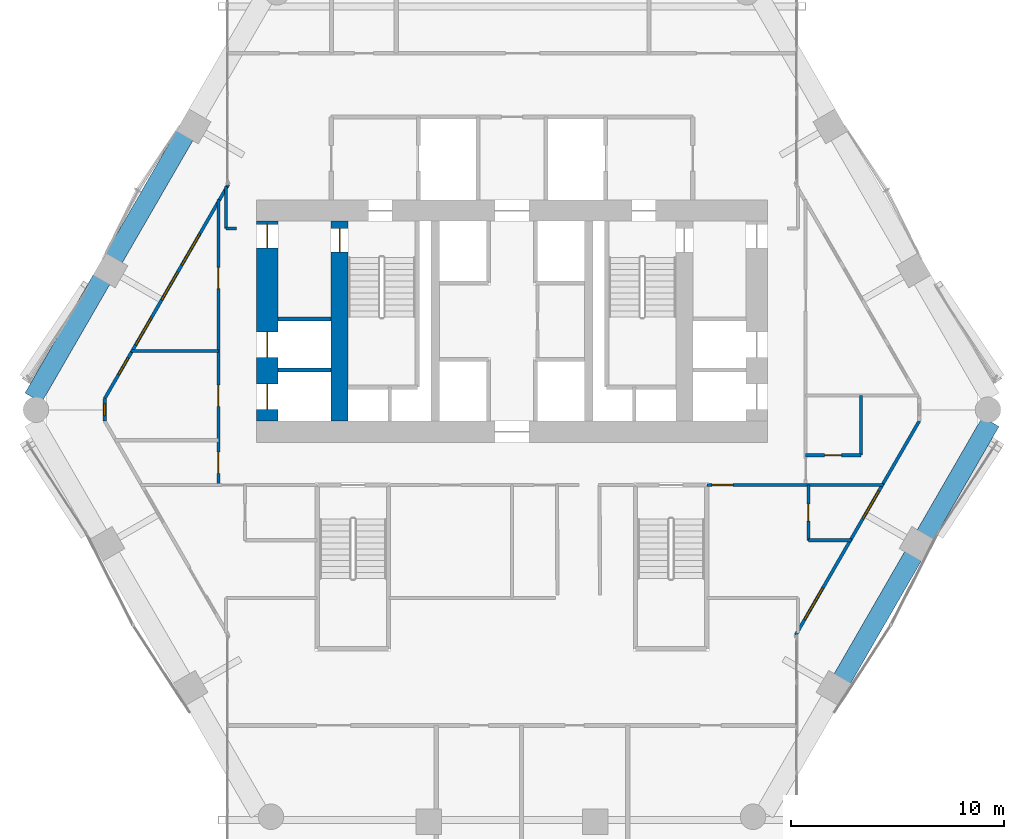
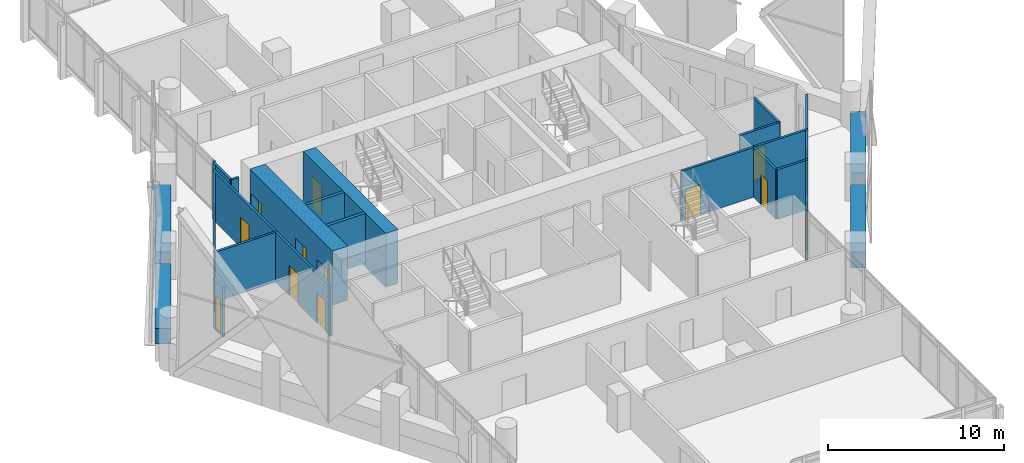
# One storey, part 30 of 38: 20 walls, 10 doors, 7 windows, 17 openings.
"""IFC4 building model written with IfcOpenShell, lengths in metres."""

from ifc_helpers import new_model, si_unit, direction, frame, frame_2d, origin, place, context, subcontext, project, spatial, rectangle, extrude, material, layer, layer_set, type_object, element, fill, save


model = new_model("IFC4")

# Units and contexts
model_context = context("Model", 3, precision=1e-05, world=origin(), true_north=direction((0.0, 1.0)))
body_context = subcontext(model_context, "Body", "Model", "MODEL_VIEW")
ifc_project = project(units=[si_unit("LENGTHUNIT", "METRE"), si_unit("AREAUNIT", "SQUARE_METRE"), si_unit("VOLUMEUNIT", "CUBIC_METRE"), si_unit("PLANEANGLEUNIT", "RADIAN"), si_unit("MASSUNIT", "GRAM", prefix="KILO")], contexts=[model_context])

# Site, building, storey
site_placement = place(None, origin())
site = spatial("IfcSite", under=ifc_project, at=site_placement, CompositionType="ELEMENT")
building_placement = place(site_placement, origin())
building = spatial("IfcBuilding", under=site, at=building_placement, Name="Ostrander Bayou Hotel Tower", CompositionType="ELEMENT")
storey_placement = place(building_placement, frame((0.0, 0.0, 96.75)))
storey = spatial("IfcBuildingStorey", under=building, at=storey_placement, Name="L24", CompositionType="ELEMENT", Elevation=96.75)

# Wall, openings, doors
ifc_material_1 = material(Name="Concrete f'c 70 MPa", Category="concrete")
ifc_layer_1 = layer(ifc_material_1, 1.0)
ifc_layer_set_1 = layer_set([ifc_layer_1], Name="CW4 core wall 1000 mm f'c 70 MPa")
wall_type_1 = type_object("IfcWallType", Name="CW4 core wall 1000 mm f'c 70 MPa", PredefinedType="SHEAR", material=ifc_layer_set_1)
wall_1_placement = place(storey_placement, frame((-11.5, -0.699951171875, -0.300048828125), z_axis=(0.0, 0.0, 1.0), x_axis=(0.0, 1.0, 0.0)))
wall_1 = element("IfcWall", 1, at=wall_1_placement, inside=storey, type_object=wall_type_1, Name="CW4 L24 RW", PredefinedType="SHEAR", context=body_context, shape_type="SweptSolid", body=[
    extrude(rectangle(XDim=9.39990234375, YDim=1.0, at=frame_2d((4.699951171875, 0.0))), origin(), (0.0, 0.0, 1.0), 3.75),
])
opening_1_placement = place(wall_1_placement, frame((8.14990234375, 0.0, 0.0)))
opening_1 = element("IfcOpeningElement", 2, at=opening_1_placement, cuts=wall_1, Name="Opening T23-015", PredefinedType="OPENING", context=body_context, shape_type="SweptSolid", body=[
    extrude(rectangle(XDim=1.10009765625, YDim=2.10009765625, at=frame_2d((0.550048828125, 1.050048828125))), frame((0.0, 0.5, 0.0), z_axis=(0.0, -1.0, 0.0), x_axis=(1.0, 0.0, 0.0)), (0.0, 0.0, 1.0), 1.0),
])
opening_2_placement = place(wall_1_placement, frame((0.550048828125, 0.0, 0.0)))
opening_2 = element("IfcOpeningElement", 3, at=opening_2_placement, cuts=wall_1, Name="Opening T23-016", PredefinedType="OPENING", context=body_context, shape_type="SweptSolid", body=[
    extrude(rectangle(XDim=1.199951171875, YDim=2.10009765625, at=frame_2d((0.60009765625, 1.050048828125))), frame((0.0, 0.5, 0.0), z_axis=(0.0, -1.0, 0.0), x_axis=(1.0, 0.0, 0.0)), (0.0, 0.0, 1.0), 1.0),
])
opening_3_placement = place(wall_1_placement, frame((3.0, 0.0, 0.0)))
opening_3 = element("IfcOpeningElement", 4, at=opening_3_placement, cuts=wall_1, Name="Opening T23-017", PredefinedType="OPENING", context=body_context, shape_type="SweptSolid", body=[
    extrude(rectangle(XDim=1.199951171875, YDim=2.10009765625, at=frame_2d((0.60009765625, 1.050048828125))), frame((0.0, 0.5, 0.0), z_axis=(0.0, -1.0, 0.0), x_axis=(1.0, 0.0, 0.0)), (0.0, 0.0, 1.0), 1.0),
])
ifc_material_2 = material(Name="Timber door leaf", Category="wood")
door_type_1 = type_object("IfcDoorType", Name="D5 stair door 1100 x 2100 mm, 90 minute", OperationType="SINGLE_SWING_LEFT", PredefinedType="DOOR", material=ifc_material_2)
door_1_placement = place(opening_1_placement, origin())
door_1 = element("IfcDoor", 5, at=door_1_placement, inside=storey, type_object=door_type_1, Name="dr:L24:015", OperationType="SINGLE_SWING_LEFT", OverallHeight=2.10009765625, OverallWidth=1.10009765625, PredefinedType="DOOR", context=body_context, shape_type="SweptSolid", body=[
    extrude(rectangle(XDim=1.10009765625, YDim=2.10009765625, at=frame_2d((0.550048828125, 1.050048828125))), frame((0.0, 0.02490234375, 0.0), z_axis=(0.0, -1.0, 0.0), x_axis=(1.0, 0.0, 0.0)), (0.0, 0.0, 1.0), 0.050048828125),
])
fill(opening_1, door_1)
ifc_material_3 = material(Name="Stainless steel sliding door", Category="steel")
door_type_2 = type_object("IfcDoorType", Name="LD1 lift landing door 1200 x 2100 mm", OperationType="SINGLE_SWING_LEFT", PredefinedType="DOOR", material=ifc_material_3)
door_2_placement = place(opening_2_placement, origin())
door_2 = element("IfcDoor", 6, at=door_2_placement, inside=storey, type_object=door_type_2, Name="dr:L24:016", OperationType="SLIDING_TO_LEFT", OverallHeight=2.10009765625, OverallWidth=1.199951171875, PredefinedType="DOOR", context=body_context, shape_type="SweptSolid", body=[
    extrude(rectangle(XDim=1.199951171875, YDim=2.10009765625, at=frame_2d((0.60009765625, 1.050048828125))), frame((0.0, 0.02490234375, 0.0), z_axis=(0.0, -1.0, 0.0), x_axis=(1.0, 0.0, 0.0)), (0.0, 0.0, 1.0), 0.050048828125),
])
fill(opening_2, door_2)
door_3_placement = place(opening_3_placement, origin())
door_3 = element("IfcDoor", 7, at=door_3_placement, inside=storey, type_object=door_type_2, Name="dr:L24:017", OperationType="SLIDING_TO_LEFT", OverallHeight=2.10009765625, OverallWidth=1.199951171875, PredefinedType="DOOR", context=body_context, shape_type="SweptSolid", body=[
    extrude(rectangle(XDim=1.199951171875, YDim=2.10009765625, at=frame_2d((0.60009765625, 1.050048828125))), frame((0.0, 0.02490234375, 0.0), z_axis=(0.0, -1.0, 0.0), x_axis=(1.0, 0.0, 0.0)), (0.0, 0.0, 1.0), 0.050048828125),
])
fill(opening_3, door_3)

# Wall, opening, door
ifc_material_4 = material(Name="Concrete f'c 70 MPa", Category="concrete")
ifc_layer_2 = layer(ifc_material_4, 0.800048828125)
ifc_layer_set_2 = layer_set([ifc_layer_2], Name="CW5 core spine wall 800 mm f'c 70 MPa")
wall_type_2 = type_object("IfcWallType", Name="CW5 core spine wall 800 mm f'c 70 MPa", PredefinedType="SHEAR", material=ifc_layer_set_2)
wall_2_placement = place(storey_placement, frame((-8.10009765625, -0.699951171875, -0.300048828125), z_axis=(0.0, 0.0, 1.0), x_axis=(0.0, 1.0, 0.0)))
wall_2 = element("IfcWall", 8, at=wall_2_placement, inside=storey, type_object=wall_type_2, Name="CW5 L24 W", PredefinedType="SHEAR", context=body_context, shape_type="SweptSolid", body=[
    extrude(rectangle(XDim=9.39990234375, YDim=0.800048828125, at=frame_2d((4.699951171875, 0.0))), origin(), (0.0, 0.0, 1.0), 3.75),
])
opening_4_placement = place(wall_2_placement, frame((7.949951171875, 0.0, 0.0)))
opening_4 = element("IfcOpeningElement", 9, at=opening_4_placement, cuts=wall_2, Name="Opening T23-004", PredefinedType="OPENING", context=body_context, shape_type="SweptSolid", body=[
    extrude(rectangle(XDim=1.10009765625, YDim=2.10009765625, at=frame_2d((0.550048828125, 1.050048828125))), frame((0.0, 0.39990234375, 0.0), z_axis=(0.0, -1.0, 0.0), x_axis=(1.0, 0.0, 0.0)), (0.0, 0.0, 1.0), 0.800048828125),
])
door_4_placement = place(opening_4_placement, origin())
door_4 = element("IfcDoor", 10, at=door_4_placement, inside=storey, type_object=door_type_1, Name="dr:L24:004", OperationType="SINGLE_SWING_RIGHT", OverallHeight=2.10009765625, OverallWidth=1.10009765625, PredefinedType="DOOR", context=body_context, shape_type="SweptSolid", body=[
    extrude(rectangle(XDim=1.10009765625, YDim=2.10009765625, at=frame_2d((0.550048828125, 1.050048828125))), frame((0.0, 0.02490234375, 0.0), z_axis=(0.0, -1.0, 0.0), x_axis=(1.0, 0.0, 0.0)), (0.0, 0.0, 1.0), 0.050048828125),
])
fill(opening_4, door_4)

# Wall, openings, windows
ifc_material_5 = material(Name="Aluminium framed insulated wall", Category="aluminium")
ifc_layer_3 = layer(ifc_material_5, 0.14990234375)
ifc_layer_set_3 = layer_set([ifc_layer_3], Name="GW1 glass-line wall 150 mm")
wall_type_3 = type_object("IfcWallType", Name="GW1 glass-line wall 150 mm", PredefinedType="SOLIDWALL", material=ifc_layer_set_3)
wall_3_placement = place(storey_placement, frame((-13.333984375, 10.427490234375, 0.0), z_axis=(0.0, 0.0, 1.0), x_axis=(-0.500002662854, -0.86602386638, 0.0)))
wall_3 = element("IfcWall", 11, at=wall_3_placement, inside=storey, type_object=wall_type_3, Name="GW1 L24 NW 1", PredefinedType="SOLIDWALL", context=body_context, shape_type="SweptSolid", body=[
    extrude(rectangle(XDim=11.61474609375, YDim=0.14990234375, at=frame_2d((5.807373046875, 0.0))), origin(), (0.0, 0.0, 1.0), 3.449951171875),
])
opening_5_placement = place(wall_3_placement, frame((2.66357421875, 0.0, 0.14990234375)))
opening_5 = element("IfcOpeningElement", 12, at=opening_5_placement, cuts=wall_3, Name="Opening W8", PredefinedType="OPENING", context=body_context, shape_type="SweptSolid", body=[
    extrude(rectangle(XDim=1.699951171875, YDim=2.199951171875, at=frame_2d((0.85009765625, 1.10009765625))), frame((0.0, 0.074951171875, 0.0), z_axis=(0.0, -1.0, 0.0), x_axis=(1.0, 0.0, 0.0)), (0.0, 0.0, 1.0), 0.14990234375),
])
opening_6_placement = place(wall_3_placement, frame((4.763671875, 0.0, 0.14990234375)))
opening_6 = element("IfcOpeningElement", 13, at=opening_6_placement, cuts=wall_3, Name="Opening W12", PredefinedType="OPENING", context=body_context, shape_type="SweptSolid", body=[
    extrude(rectangle(XDim=1.5, YDim=2.199951171875, at=frame_2d((0.75, 1.10009765625))), frame((0.0, 0.074951171875, 0.0), z_axis=(0.0, -1.0, 0.0), x_axis=(1.0, 0.0, 0.0)), (0.0, 0.0, 1.0), 0.14990234375),
])
opening_7_placement = place(wall_3_placement, frame((9.414306640625, 0.0, 0.14990234375)))
opening_7 = element("IfcOpeningElement", 14, at=opening_7_placement, cuts=wall_3, Name="Opening W16", PredefinedType="OPENING", context=body_context, shape_type="SweptSolid", body=[
    extrude(rectangle(XDim=0.89990234375, YDim=2.199951171875, at=frame_2d((0.449951171875, 1.10009765625))), frame((0.0, 0.074951171875, 0.0), z_axis=(0.0, -1.0, 0.0), x_axis=(1.0, 0.0, 0.0)), (0.0, 0.0, 1.0), 0.14990234375),
])
opening_8_placement = place(wall_3_placement, frame((7.21435546875, 0.0, 0.14990234375)))
opening_8 = element("IfcOpeningElement", 15, at=opening_8_placement, cuts=wall_3, Name="Opening W12", PredefinedType="OPENING", context=body_context, shape_type="SweptSolid", body=[
    extrude(rectangle(XDim=1.5, YDim=2.199951171875, at=frame_2d((0.75, 1.10009765625))), frame((0.0, 0.074951171875, 0.0), z_axis=(0.0, -1.0, 0.0), x_axis=(1.0, 0.0, 0.0)), (0.0, 0.0, 1.0), 0.14990234375),
])
ifc_material_6 = material(Name="Aluminium and clear glass", Category="aluminium")
window_type_1 = type_object("IfcWindowType", Name="W12 fixed window 1500 mm, bath bay, zone 2", PartitioningType="SINGLE_PANEL", PredefinedType="WINDOW", material=ifc_material_6)
window_1_placement = place(opening_6_placement, origin())
window_1 = element("IfcWindow", 16, at=window_1_placement, inside=storey, type_object=window_type_1, Name="W12 L24 NW 3", OverallHeight=2.199951171875, OverallWidth=1.5, PartitioningType="SINGLE_PANEL", PredefinedType="WINDOW", context=body_context, shape_type="SweptSolid", body=[
    extrude(rectangle(XDim=1.5, YDim=2.199951171875, at=frame_2d((0.75, 1.10009765625))), frame((0.0, 0.030029296875, 0.0), z_axis=(0.0, -1.0, 0.0), x_axis=(1.0, 0.0, 0.0)), (0.0, 0.0, 1.0), 0.06005859375),
])
fill(opening_6, window_1)
window_2_placement = place(opening_8_placement, origin())
window_2 = element("IfcWindow", 17, at=window_2_placement, inside=storey, type_object=window_type_1, Name="W12 L24 NW 4", OverallHeight=2.199951171875, OverallWidth=1.5, PartitioningType="SINGLE_PANEL", PredefinedType="WINDOW", context=body_context, shape_type="SweptSolid", body=[
    extrude(rectangle(XDim=1.5, YDim=2.199951171875, at=frame_2d((0.75, 1.10009765625))), frame((0.0, 0.030029296875, 0.0), z_axis=(0.0, -1.0, 0.0), x_axis=(1.0, 0.0, 0.0)), (0.0, 0.0, 1.0), 0.06005859375),
])
fill(opening_8, window_2)
ifc_material_7 = material(Name="Aluminium and clear glass", Category="aluminium")
window_type_2 = type_object("IfcWindowType", Name="W16 window 900 mm, zone 2", PartitioningType="SINGLE_PANEL", PredefinedType="WINDOW", material=ifc_material_7)
window_3_placement = place(opening_7_placement, origin())
window_3 = element("IfcWindow", 18, at=window_3_placement, inside=storey, type_object=window_type_2, Name="W16 L24 NW 4", OverallHeight=2.199951171875, OverallWidth=0.89990234375, PartitioningType="SINGLE_PANEL", PredefinedType="WINDOW", context=body_context, shape_type="SweptSolid", body=[
    extrude(rectangle(XDim=0.89990234375, YDim=2.199951171875, at=frame_2d((0.449951171875, 1.10009765625))), frame((0.0, 0.030029296875, 0.0), z_axis=(0.0, -1.0, 0.0), x_axis=(1.0, 0.0, 0.0)), (0.0, 0.0, 1.0), 0.06005859375),
])
fill(opening_7, window_3)
ifc_material_8 = material(Name="Aluminium and clear glass", Category="aluminium")
window_type_3 = type_object("IfcWindowType", Name="W8 fixed window 1700 mm, bar storeys, zone 2", PartitioningType="SINGLE_PANEL", PredefinedType="WINDOW", material=ifc_material_8)
window_4_placement = place(opening_5_placement, origin())
window_4 = element("IfcWindow", 19, at=window_4_placement, inside=storey, type_object=window_type_3, Name="W8 L24 NW 3", OverallHeight=2.199951171875, OverallWidth=1.699951171875, PartitioningType="SINGLE_PANEL", PredefinedType="WINDOW", context=body_context, shape_type="SweptSolid", body=[
    extrude(rectangle(XDim=1.699951171875, YDim=2.199951171875, at=frame_2d((0.85009765625, 1.10009765625))), frame((0.0, 0.030029296875, 0.0), z_axis=(0.0, -1.0, 0.0), x_axis=(1.0, 0.0, 0.0)), (0.0, 0.0, 1.0), 0.06005859375),
])
fill(opening_5, window_4)

wall_4_placement = place(storey_placement, frame((13.333984375, -10.7548828125, 0.0), z_axis=(0.0, 0.0, 1.0), x_axis=(0.500002662854, 0.86602386638, 0.0)))
wall_4 = element("IfcWall", 20, at=wall_4_placement, inside=storey, type_object=wall_type_3, Name="GW1 L24 SE 1", PredefinedType="SOLIDWALL", context=body_context, shape_type="SweptSolid", body=[
    extrude(rectangle(XDim=11.61474609375, YDim=0.14990234375, at=frame_2d((5.807373046875, 0.0))), origin(), (0.0, 0.0, 1.0), 3.449951171875),
])
opening_9_placement = place(wall_4_placement, frame((0.84716796875, 0.0, 0.14990234375)))
opening_9 = element("IfcOpeningElement", 21, at=opening_9_placement, cuts=wall_4, Name="Opening W8", PredefinedType="OPENING", context=body_context, shape_type="SweptSolid", body=[
    extrude(rectangle(XDim=1.699951171875, YDim=2.199951171875, at=frame_2d((0.85009765625, 1.10009765625))), frame((0.0, 0.074951171875, 0.0), z_axis=(0.0, -1.0, 0.0), x_axis=(1.0, 0.0, 0.0)), (0.0, 0.0, 1.0), 0.14990234375),
])
opening_10_placement = place(wall_4_placement, frame((6.322265625, 0.0, 0.14990234375)))
opening_10 = element("IfcOpeningElement", 22, at=opening_10_placement, cuts=wall_4, Name="Opening W12", PredefinedType="OPENING", context=body_context, shape_type="SweptSolid", body=[
    extrude(rectangle(XDim=1.5, YDim=2.199951171875, at=frame_2d((0.75, 1.10009765625))), frame((0.0, 0.074951171875, 0.0), z_axis=(0.0, -1.0, 0.0), x_axis=(1.0, 0.0, 0.0)), (0.0, 0.0, 1.0), 0.14990234375),
])
window_5_placement = place(opening_10_placement, origin())
window_5 = element("IfcWindow", 23, at=window_5_placement, inside=storey, type_object=window_type_1, Name="W12 L24 SE 3", OverallHeight=2.199951171875, OverallWidth=1.5, PartitioningType="SINGLE_PANEL", PredefinedType="WINDOW", context=body_context, shape_type="SweptSolid", body=[
    extrude(rectangle(XDim=1.5, YDim=2.199951171875, at=frame_2d((0.75, 1.10009765625))), frame((0.0, 0.030029296875, 0.0), z_axis=(0.0, -1.0, 0.0), x_axis=(1.0, 0.0, 0.0)), (0.0, 0.0, 1.0), 0.06005859375),
])
fill(opening_10, window_5)
window_6_placement = place(opening_9_placement, origin())
window_6 = element("IfcWindow", 24, at=window_6_placement, inside=storey, type_object=window_type_3, Name="W8 L24 SE 2", OverallHeight=2.199951171875, OverallWidth=1.699951171875, PartitioningType="SINGLE_PANEL", PredefinedType="WINDOW", context=body_context, shape_type="SweptSolid", body=[
    extrude(rectangle(XDim=1.699951171875, YDim=2.199951171875, at=frame_2d((0.85009765625, 1.10009765625))), frame((0.0, 0.030029296875, 0.0), z_axis=(0.0, -1.0, 0.0), x_axis=(1.0, 0.0, 0.0)), (0.0, 0.0, 1.0), 0.06005859375),
])
fill(opening_9, window_6)

# Wall, opening, window
wall_5_placement = place(storey_placement, frame((-19.141357421875, 0.368896484375, 0.0), z_axis=(0.0, 0.0, 1.0), x_axis=(0.0, -1.0, 0.0)))
wall_5 = element("IfcWall", 25, at=wall_5_placement, inside=storey, type_object=wall_type_3, Name="GW1 L24 corner 2", PredefinedType="SOLIDWALL", context=body_context, shape_type="SweptSolid", body=[
    extrude(rectangle(XDim=1.065185546875, YDim=0.14990234375, at=frame_2d((0.53271484375, 0.0))), origin(), (0.0, 0.0, 1.0), 3.449951171875),
])
opening_11_placement = place(wall_5_placement, frame((0.257568359375, 0.0, 0.14990234375)))
opening_11 = element("IfcOpeningElement", 26, at=opening_11_placement, cuts=wall_5, Name="Opening W19", PredefinedType="OPENING", context=body_context, shape_type="SweptSolid", body=[
    extrude(rectangle(XDim=0.550048828125, YDim=2.199951171875, at=frame_2d((0.27490234375, 1.10009765625))), frame((0.0, 0.074951171875, 0.0), z_axis=(0.0, -1.0, 0.0), x_axis=(1.0, 0.0, 0.0)), (0.0, 0.0, 1.0), 0.14990234375),
])
ifc_material_9 = material(Name="Aluminium and clear glass", Category="aluminium")
window_type_4 = type_object("IfcWindowType", Name="W19 corner window 550 mm", PartitioningType="SINGLE_PANEL", PredefinedType="WINDOW", material=ifc_material_9)
window_7_placement = place(opening_11_placement, origin())
window_7 = element("IfcWindow", 27, at=window_7_placement, inside=storey, type_object=window_type_4, Name="W19 L24 corner 2", OverallHeight=2.199951171875, OverallWidth=0.550048828125, PartitioningType="SINGLE_PANEL", PredefinedType="WINDOW", context=body_context, shape_type="SweptSolid", body=[
    extrude(rectangle(XDim=0.550048828125, YDim=2.199951171875, at=frame_2d((0.27490234375, 1.10009765625))), frame((0.0, 0.030029296875, 0.0), z_axis=(0.0, -1.0, 0.0), x_axis=(1.0, 0.0, 0.0)), (0.0, 0.0, 1.0), 0.06005859375),
])
fill(opening_11, window_7)

# Walls
ifc_material_10 = material(Name="Concrete f'c 40 MPa", Category="concrete")
ifc_layer_4 = layer(ifc_material_10, 0.89990234375)
ifc_layer_set_4 = layer_set([ifc_layer_4], Name="PA1 stone-faced parapet 900 mm")
wall_type_4 = type_object("IfcWallType", Name="PA1 stone-faced parapet 900 mm", PredefinedType="PARAPET", material=ifc_layer_set_4)
wall_6_placement = place(storey_placement, frame((-15.380615234375, 12.73291015625, 0.0), z_axis=(0.0, 0.0, 1.0), x_axis=(-0.499999023957, -0.866025967302, 0.0)))
element("IfcWall", 28, at=wall_6_placement, inside=storey, type_object=wall_type_4, Name="PA1 L24 NW-2", PredefinedType="PARAPET", context=body_context, shape_type="SweptSolid", body=[
    extrude(rectangle(XDim=6.67333984375, YDim=0.89990234375, at=frame_2d((3.336669921875, 0.0))), origin(), (0.0, 0.0, 1.0), 1.10009765625),
])
wall_7_placement = place(storey_placement, frame((-19.287109375, 5.96630859375, 0.0), z_axis=(0.0, 0.0, 1.0), x_axis=(-0.500011789842, -0.866018596809, 0.0)))
element("IfcWall", 29, at=wall_7_placement, inside=storey, type_object=wall_type_4, Name="PA1 L24 NW-3", PredefinedType="PARAPET", context=body_context, shape_type="SweptSolid", body=[
    extrude(rectangle(XDim=6.427490234375, YDim=0.89990234375, at=frame_2d((3.2138671875, 0.0))), origin(), (0.0, 0.0, 1.0), 1.10009765625),
])
ifc_material_11 = material(Name="Limestone masonry", Category="masonry")
ifc_layer_5 = layer(ifc_material_11, 0.89990234375)
ifc_layer_set_5 = layer_set([ifc_layer_5], Name="PA2 limestone parapet 900 mm")
wall_type_5 = type_object("IfcWallType", Name="PA2 limestone parapet 900 mm", PredefinedType="PARAPET", material=ifc_layer_set_5)
wall_8_placement = place(storey_placement, frame((15.522216796875, -12.814697265625, 0.0), z_axis=(0.0, 0.0, 1.0), x_axis=(0.499999023957, 0.866025967302, 0.0)))
element("IfcWall", 30, at=wall_8_placement, inside=storey, type_object=wall_type_5, Name="PA2 L24 SE-2", PredefinedType="PARAPET", context=body_context, shape_type="SweptSolid", body=[
    extrude(rectangle(XDim=6.67333984375, YDim=0.89990234375, at=frame_2d((3.336669921875, 0.0))), origin(), (0.0, 0.0, 1.0), 1.10009765625),
])
wall_9_placement = place(storey_placement, frame((19.428955078125, -6.048095703125, 0.0), z_axis=(0.0, 0.0, 1.0), x_axis=(0.500006801911, 0.866021476663, 0.0)))
element("IfcWall", 31, at=wall_9_placement, inside=storey, type_object=wall_type_5, Name="PA2 L24 SE-3", PredefinedType="PARAPET", context=body_context, shape_type="SweptSolid", body=[
    extrude(rectangle(XDim=6.14404296875, YDim=0.89990234375, at=frame_2d((3.072021484375, 0.0))), origin(), (0.0, 0.0, 1.0), 1.10009765625),
])
ifc_material_12 = material(Name="Masonry block", Category="masonry")
ifc_layer_6 = layer(ifc_material_12, 0.199951171875)
ifc_layer_set_6 = layer_set([ifc_layer_6], Name="PT6 lift shaft wall 200 mm masonry, 2 hour")
wall_type_6 = type_object("IfcWallType", Name="PT6 lift shaft wall 200 mm masonry, 2 hour", PredefinedType="PARTITIONING", material=ifc_layer_set_6)
for number, where, z_axis, x_axis, name in (
    (32, (-11.0, 1.699951171875, 0.0), (0.0, 0.0, 1.0), (1.0, 0.0, 0.0), "cs:L24:031"),
    (33, (-11.0, 4.10009765625, 0.0), (0.0, 0.0, 1.0), (1.0, 0.0, 0.0), "cs:L24:032"),
):
    element("IfcWall", number, at=place(storey_placement, frame(where, z_axis=z_axis, x_axis=x_axis)), inside=storey, type_object=wall_type_6, Name=name, PredefinedType="PARTITIONING", context=body_context, shape_type="SweptSolid", body=[
        extrude(rectangle(XDim=2.5, YDim=0.199951171875, at=frame_2d((1.25, 0.0))), origin(), (0.0, 0.0, 1.0), 3.449951171875),
    ])
ifc_material_13 = material(Name="Gypsum board partition", Category="finish")
ifc_layer_7 = layer(ifc_material_13, 0.14990234375)
ifc_layer_set_7 = layer_set([ifc_layer_7], Name="PT8 service band wall 150 mm, 1 hour")
wall_type_7 = type_object("IfcWallType", Name="PT8 service band wall 150 mm, 1 hour", PredefinedType="PARTITIONING", material=ifc_layer_set_7)
wall_10_placement = place(storey_placement, frame((13.929931640625, -6.300048828125, 0.0), z_axis=(0.0, 0.0, 1.0), x_axis=(1.0, 0.0, 0.0)))
element("IfcWall", 34, at=wall_10_placement, inside=storey, type_object=wall_type_7, Name="gw:L24:005", PredefinedType="PARTITIONING", context=body_context, shape_type="SweptSolid", body=[
    extrude(rectangle(XDim=2.028076171875, YDim=0.14990234375, at=frame_2d((1.01416015625, 0.0))), origin(), (0.0, 0.0, 1.0), 3.449951171875),
])

# Wall, opening, door
wall_11_placement = place(storey_placement, frame((9.159912109375, -3.699951171875, 0.0), z_axis=(0.0, 0.0, 1.0), x_axis=(1.0, 0.0, 0.0)))
wall_11 = element("IfcWall", 35, at=wall_11_placement, inside=storey, type_object=wall_type_7, Name="gw:L24:009", PredefinedType="PARTITIONING", context=body_context, shape_type="SweptSolid", body=[
    extrude(rectangle(XDim=8.299072265625, YDim=0.14990234375, at=frame_2d((4.1494140625, 0.0))), origin(), (0.0, 0.0, 1.0), 3.449951171875),
])
opening_12_placement = place(wall_11_placement, frame((0.239990234375, 0.0, 0.0)))
opening_12 = element("IfcOpeningElement", 36, at=opening_12_placement, cuts=wall_11, Name="Opening T23-404", PredefinedType="OPENING", context=body_context, shape_type="SweptSolid", body=[
    extrude(rectangle(XDim=1.0, YDim=2.10009765625, at=frame_2d((0.5, 1.050048828125))), frame((0.0, 0.074951171875, 0.0), z_axis=(0.0, -1.0, 0.0), x_axis=(1.0, 0.0, 0.0)), (0.0, 0.0, 1.0), 0.14990234375),
])
ifc_material_14 = material(Name="Timber door leaf", Category="wood")
door_type_3 = type_object("IfcDoorType", Name="D1 guest room door 1000 x 2100 mm, 30 minute", OperationType="SINGLE_SWING_LEFT", PredefinedType="DOOR", material=ifc_material_14)
door_5_placement = place(opening_12_placement, origin())
door_5 = element("IfcDoor", 37, at=door_5_placement, inside=storey, type_object=door_type_3, Name="dr:L24:404", OperationType="SINGLE_SWING_LEFT", OverallHeight=2.10009765625, OverallWidth=1.0, PredefinedType="DOOR", context=body_context, shape_type="SweptSolid", body=[
    extrude(rectangle(XDim=1.0, YDim=2.10009765625, at=frame_2d((0.5, 1.050048828125))), frame((0.0, 0.02490234375, 0.0), z_axis=(0.0, -1.0, 0.0), x_axis=(1.0, 0.0, 0.0)), (0.0, 0.0, 1.0), 0.050048828125),
])
fill(opening_12, door_5)

wall_12_placement = place(storey_placement, frame((13.800048828125, -2.300048828125, 0.0), z_axis=(0.0, 0.0, 1.0), x_axis=(1.0, 0.0, 0.0)))
wall_12 = element("IfcWall", 38, at=wall_12_placement, inside=storey, type_object=wall_type_7, Name="gw:L24:010", PredefinedType="PARTITIONING", context=body_context, shape_type="SweptSolid", body=[
    extrude(rectangle(XDim=2.599853515625, YDim=0.14990234375, at=frame_2d((1.2998046875, 0.0))), origin(), (0.0, 0.0, 1.0), 3.449951171875),
])
opening_13_placement = place(wall_12_placement, frame((0.89990234375, 0.0, 0.0)))
opening_13 = element("IfcOpeningElement", 39, at=opening_13_placement, cuts=wall_12, Name="Opening T23-410", PredefinedType="OPENING", context=body_context, shape_type="SweptSolid", body=[
    extrude(rectangle(XDim=0.800048828125, YDim=2.10009765625, at=frame_2d((0.39990234375, 1.050048828125))), frame((0.0, 0.074951171875, 0.0), z_axis=(0.0, -1.0, 0.0), x_axis=(1.0, 0.0, 0.0)), (0.0, 0.0, 1.0), 0.14990234375),
])
ifc_material_15 = material(Name="Timber door leaf", Category="wood")
door_type_4 = type_object("IfcDoorType", Name="D2 bathroom door 800 x 2100 mm", OperationType="SINGLE_SWING_LEFT", PredefinedType="DOOR", material=ifc_material_15)
door_6_placement = place(opening_13_placement, origin())
door_6 = element("IfcDoor", 40, at=door_6_placement, inside=storey, type_object=door_type_4, Name="dr:L24:410", OperationType="SINGLE_SWING_LEFT", OverallHeight=2.10009765625, OverallWidth=0.800048828125, PredefinedType="DOOR", context=body_context, shape_type="SweptSolid", body=[
    extrude(rectangle(XDim=0.800048828125, YDim=2.10009765625, at=frame_2d((0.39990234375, 1.050048828125))), frame((0.0, 0.02490234375, 0.0), z_axis=(0.0, -1.0, 0.0), x_axis=(1.0, 0.0, 0.0)), (0.0, 0.0, 1.0), 0.050048828125),
])
fill(opening_13, door_6)

# Walls
wall_13_placement = place(storey_placement, frame((-17.905029296875, 2.60009765625, 0.0), z_axis=(0.0, 0.0, 1.0), x_axis=(1.0, 0.0, 0.0)))
element("IfcWall", 41, at=wall_13_placement, inside=storey, type_object=wall_type_7, Name="gw:L24:013", PredefinedType="PARTITIONING", context=body_context, shape_type="SweptSolid", body=[
    extrude(rectangle(XDim=4.10498046875, YDim=0.14990234375, at=frame_2d((2.052490234375, 0.0))), origin(), (0.0, 0.0, 1.0), 3.449951171875),
])
wall_14_placement = place(storey_placement, frame((-13.43994140625, 8.35498046875, 0.0), z_axis=(0.0, 0.0, 1.0), x_axis=(1.0, 0.0, 0.0)))
element("IfcWall", 42, at=wall_14_placement, inside=storey, type_object=wall_type_7, Name="gw:L24:014", PredefinedType="PARTITIONING", context=body_context, shape_type="SweptSolid", body=[
    extrude(rectangle(XDim=0.489990234375, YDim=0.14990234375, at=frame_2d((0.2451171875, 0.0))), origin(), (0.0, 0.0, 1.0), 3.449951171875),
])
wall_15_placement = place(storey_placement, frame((16.39990234375, -2.300048828125, 0.0), z_axis=(0.0, 0.0, 1.0), x_axis=(0.0, 1.0, 0.0)))
element("IfcWall", 43, at=wall_15_placement, inside=storey, type_object=wall_type_7, Name="gw:L24:016", PredefinedType="PARTITIONING", context=body_context, shape_type="SweptSolid", body=[
    extrude(rectangle(XDim=2.800048828125, YDim=0.14990234375, at=frame_2d((1.39990234375, 0.0))), origin(), (0.0, 0.0, 1.0), 3.449951171875),
])

# Wall, opening, door
wall_16_placement = place(storey_placement, frame((13.929931640625, -6.300048828125, 0.0), z_axis=(0.0, 0.0, 1.0), x_axis=(0.0, 1.0, 0.0)))
wall_16 = element("IfcWall", 44, at=wall_16_placement, inside=storey, type_object=wall_type_7, Name="gw:L24:017", PredefinedType="PARTITIONING", context=body_context, shape_type="SweptSolid", body=[
    extrude(rectangle(XDim=2.60009765625, YDim=0.14990234375, at=frame_2d((1.300048828125, 0.0))), origin(), (0.0, 0.0, 1.0), 3.449951171875),
])
opening_14_placement = place(wall_16_placement, frame((0.89990234375, 0.0, 0.0)))
opening_14 = element("IfcOpeningElement", 45, at=opening_14_placement, cuts=wall_16, Name="Opening T23-405", PredefinedType="OPENING", context=body_context, shape_type="SweptSolid", body=[
    extrude(rectangle(XDim=0.800048828125, YDim=2.10009765625, at=frame_2d((0.39990234375, 1.050048828125))), frame((0.0, 0.074951171875, 0.0), z_axis=(0.0, -1.0, 0.0), x_axis=(1.0, 0.0, 0.0)), (0.0, 0.0, 1.0), 0.14990234375),
])
door_7_placement = place(opening_14_placement, origin())
door_7 = element("IfcDoor", 46, at=door_7_placement, inside=storey, type_object=door_type_4, Name="dr:L24:405", OperationType="SINGLE_SWING_RIGHT", OverallHeight=2.10009765625, OverallWidth=0.800048828125, PredefinedType="DOOR", context=body_context, shape_type="SweptSolid", body=[
    extrude(rectangle(XDim=0.800048828125, YDim=2.10009765625, at=frame_2d((0.39990234375, 1.050048828125))), frame((0.0, 0.02490234375, 0.0), z_axis=(0.0, -1.0, 0.0), x_axis=(1.0, 0.0, 0.0)), (0.0, 0.0, 1.0), 0.050048828125),
])
fill(opening_14, door_7)

# Wall
wall_17_placement = place(storey_placement, frame((-13.43994140625, 8.35498046875, 0.0), z_axis=(0.0, 0.0, 1.0), x_axis=(0.0, 1.0, 0.0)))
element("IfcWall", 47, at=wall_17_placement, inside=storey, type_object=wall_type_7, Name="gw:L24:024", PredefinedType="PARTITIONING", context=body_context, shape_type="SweptSolid", body=[
    extrude(rectangle(XDim=1.97900390625, YDim=0.14990234375, at=frame_2d((0.989501953125, 0.0))), origin(), (0.0, 0.0, 1.0), 3.449951171875),
])

# Wall, openings, doors
wall_18_placement = place(storey_placement, frame((-13.800048828125, -3.699951171875, 0.0), z_axis=(0.0, 0.0, 1.0), x_axis=(0.0, 1.0, 0.0)))
wall_18 = element("IfcWall", 48, at=wall_18_placement, inside=storey, type_object=wall_type_7, Name="gw:L24:025", PredefinedType="PARTITIONING", context=body_context, shape_type="SweptSolid", body=[
    extrude(rectangle(XDim=13.409912109375, YDim=0.14990234375, at=frame_2d((6.705078125, 0.0))), origin(), (0.0, 0.0, 1.0), 3.449951171875),
])
opening_15_placement = place(wall_18_placement, frame((0.550048828125, 0.0, 0.0)))
opening_15 = element("IfcOpeningElement", 49, at=opening_15_placement, cuts=wall_18, Name="Opening T23-406", PredefinedType="OPENING", context=body_context, shape_type="SweptSolid", body=[
    extrude(rectangle(XDim=1.0, YDim=2.10009765625, at=frame_2d((0.5, 1.050048828125))), frame((0.0, 0.074951171875, 0.0), z_axis=(0.0, -1.0, 0.0), x_axis=(1.0, 0.0, 0.0)), (0.0, 0.0, 1.0), 0.14990234375),
])
opening_16_placement = place(wall_18_placement, frame((3.699951171875, 0.0, 0.0)))
opening_16 = element("IfcOpeningElement", 50, at=opening_16_placement, cuts=wall_18, Name="Opening T23-407", PredefinedType="OPENING", context=body_context, shape_type="SweptSolid", body=[
    extrude(rectangle(XDim=1.0, YDim=2.10009765625, at=frame_2d((0.5, 1.050048828125))), frame((0.0, 0.074951171875, 0.0), z_axis=(0.0, -1.0, 0.0), x_axis=(1.0, 0.0, 0.0)), (0.0, 0.0, 1.0), 0.14990234375),
])
opening_17_placement = place(wall_18_placement, frame((9.23291015625, 0.0, 0.0)))
opening_17 = element("IfcOpeningElement", 51, at=opening_17_placement, cuts=wall_18, Name="Opening T23-408", PredefinedType="OPENING", context=body_context, shape_type="SweptSolid", body=[
    extrude(rectangle(XDim=1.0, YDim=2.10009765625, at=frame_2d((0.5, 1.050048828125))), frame((0.0, 0.074951171875, 0.0), z_axis=(0.0, -1.0, 0.0), x_axis=(1.0, 0.0, 0.0)), (0.0, 0.0, 1.0), 0.14990234375),
])
ifc_material_16 = material(Name="Timber door leaf", Category="wood")
door_type_5 = type_object("IfcDoorType", Name="D9 service door 1000 x 2100 mm, 30 minute", OperationType="SINGLE_SWING_LEFT", PredefinedType="DOOR", material=ifc_material_16)
door_8_placement = place(opening_15_placement, origin())
door_8 = element("IfcDoor", 52, at=door_8_placement, inside=storey, type_object=door_type_5, Name="dr:L24:406", OperationType="SINGLE_SWING_LEFT", OverallHeight=2.10009765625, OverallWidth=1.0, PredefinedType="DOOR", context=body_context, shape_type="SweptSolid", body=[
    extrude(rectangle(XDim=1.0, YDim=2.10009765625, at=frame_2d((0.5, 1.050048828125))), frame((0.0, 0.02490234375, 0.0), z_axis=(0.0, -1.0, 0.0), x_axis=(1.0, 0.0, 0.0)), (0.0, 0.0, 1.0), 0.050048828125),
])
fill(opening_15, door_8)
door_9_placement = place(opening_16_placement, origin())
door_9 = element("IfcDoor", 53, at=door_9_placement, inside=storey, type_object=door_type_5, Name="dr:L24:407", OperationType="SINGLE_SWING_LEFT", OverallHeight=2.10009765625, OverallWidth=1.0, PredefinedType="DOOR", context=body_context, shape_type="SweptSolid", body=[
    extrude(rectangle(XDim=1.0, YDim=2.10009765625, at=frame_2d((0.5, 1.050048828125))), frame((0.0, 0.02490234375, 0.0), z_axis=(0.0, -1.0, 0.0), x_axis=(1.0, 0.0, 0.0)), (0.0, 0.0, 1.0), 0.050048828125),
])
fill(opening_16, door_9)
door_10_placement = place(opening_17_placement, origin())
door_10 = element("IfcDoor", 54, at=door_10_placement, inside=storey, type_object=door_type_5, Name="dr:L24:408", OperationType="SINGLE_SWING_LEFT", OverallHeight=2.10009765625, OverallWidth=1.0, PredefinedType="DOOR", context=body_context, shape_type="SweptSolid", body=[
    extrude(rectangle(XDim=1.0, YDim=2.10009765625, at=frame_2d((0.5, 1.050048828125))), frame((0.0, 0.02490234375, 0.0), z_axis=(0.0, -1.0, 0.0), x_axis=(1.0, 0.0, 0.0)), (0.0, 0.0, 1.0), 0.050048828125),
])
fill(opening_17, door_10)

save(model, "model.ifc")
